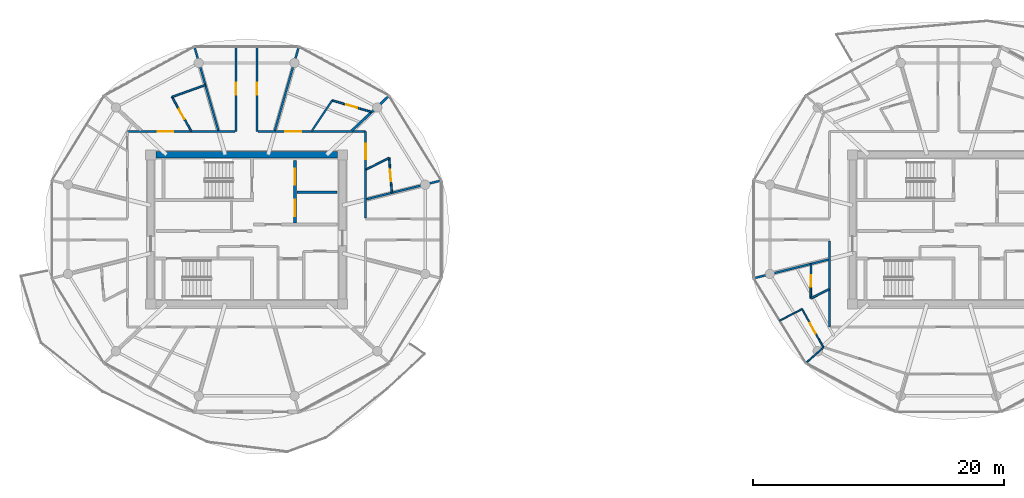
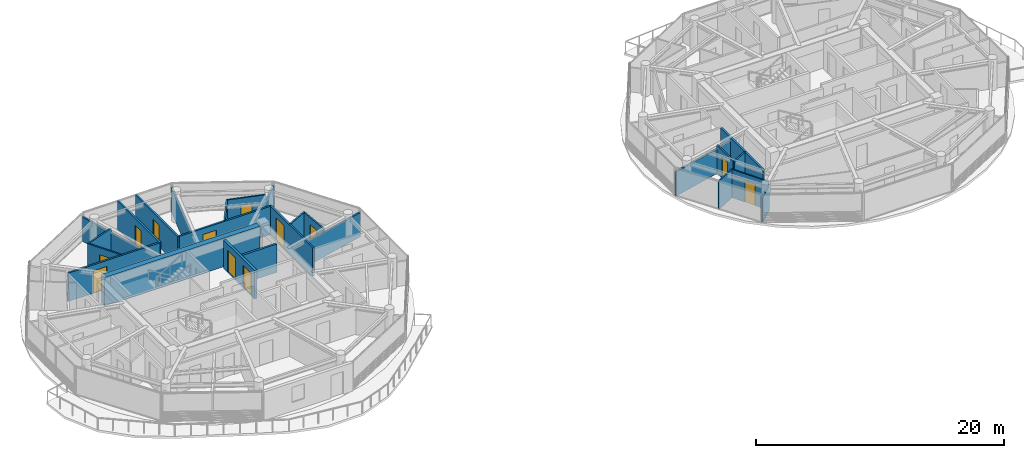
# One storey, part 11 of 19: 25 walls, 12 doors, 12 openings.
"""IFC4 building model written with IfcOpenShell, lengths in metres."""

from ifc_helpers import new_model, si_unit, direction, frame, frame_2d, origin, place, context, subcontext, project, spatial, rectangle, extrude, source, transform, mapped, material, layer, layer_set, type_object, type_shapes, element, fill, save


model = new_model("IFC4")

# Units and contexts
model_context = context("Model", 3, precision=1e-05, world=origin(), true_north=direction((0.0, 1.0)))
body_context = subcontext(model_context, "Body", "Model", "MODEL_VIEW")
ifc_project = project(units=[si_unit("LENGTHUNIT", "METRE"), si_unit("AREAUNIT", "SQUARE_METRE"), si_unit("VOLUMEUNIT", "CUBIC_METRE"), si_unit("PLANEANGLEUNIT", "RADIAN"), si_unit("MASSUNIT", "GRAM", prefix="KILO")], contexts=[model_context])

# Site, building, storey
site_placement = place(None, origin())
site = spatial("IfcSite", under=ifc_project, at=site_placement, CompositionType="ELEMENT")
building_placement = place(site_placement, origin())
building = spatial("IfcBuilding", under=site, at=building_placement, Name="Norrkilde Senior Care Towers", CompositionType="ELEMENT")
storey_placement = place(building_placement, frame((0.0, 0.0, 235.25)))
storey = spatial("IfcBuildingStorey", under=building, at=storey_placement, Name="L73", CompositionType="ELEMENT", Elevation=235.25)

# Wall
ifc_material_1 = material(Name="Concrete C50/60", Category="concrete")
ifc_layer_1 = layer(ifc_material_1, 0.52001953125)
ifc_layer_set_1 = layer_set([ifc_layer_1], Name="Concrete C50/60")
wall_type_1 = type_object("IfcWallType", Name="Core Shear Wall Z4 520", PredefinedType="SHEAR", material=ifc_layer_set_1)
shared_shape_1 = source(origin(), body_context, "Body", "SweptSolid", [
    extrude(rectangle(XDim=14.5, YDim=0.52001953125, at=frame_2d((7.25, 0.0))), origin(), (0.0, 0.0, 1.0), 2.81005859375),
])
type_shapes(wall_type_1, [shared_shape_1])
wall_1_placement = place(storey_placement, frame((-35.25, 5.949951171875, 0.0), z_axis=(0.0, 0.0, 1.0), x_axis=(1.0, 0.0, 0.0)))
element("IfcWall", 1, at=wall_1_placement, inside=storey, type_object=wall_type_1, Name="L73 Core W North Shear Wall", PredefinedType="SHEAR", context=body_context, shape_type="MappedRepresentation", body=[
    mapped(shared_shape_1, transform((0.0, 0.0, 0.0), x_axis=(1.0, 0.0, 0.0), y_axis=(0.0, 1.0, 0.0), z_axis=(0.0, 0.0, 1.0), scale=1.0)),
])

# Wall, openings, doors
ifc_material_2 = material(Name="Concrete C45/55", Category="concrete")
ifc_layer_2 = layer(ifc_material_2, 0.239990234375)
ifc_layer_set_2 = layer_set([ifc_layer_2], Name="Concrete C45/55")
wall_type_2 = type_object("IfcWallType", Name="Lift and Plant Rated Enclosure Partition 240", PredefinedType="PARTITIONING", material=ifc_layer_set_2)
shared_shape_2 = source(origin(), body_context, "Body", "SweptSolid", [
    extrude(rectangle(XDim=5.0, YDim=0.239990234375, at=frame_2d((2.5, 0.0))), origin(), (0.0, 0.0, 1.0), 2.794921875),
])
type_shapes(wall_type_2, [shared_shape_2])
wall_2_placement = place(storey_placement, frame((-24.139892578125, 0.5, 0.0), z_axis=(0.0, 0.0, 1.0), x_axis=(0.0, 1.0, 0.0)))
wall_2 = element("IfcWall", 2, at=wall_2_placement, inside=storey, type_object=wall_type_2, Name="WL-INT-L73-W-FFLE", PredefinedType="PARTITIONING", context=body_context, shape_type="MappedRepresentation", body=[
    mapped(shared_shape_2, transform((0.0, 0.0, 0.0), x_axis=(1.0, 0.0, 0.0), y_axis=(0.0, 1.0, 0.0), z_axis=(0.0, 0.0, 1.0), scale=1.0)),
])
opening_1_placement = place(wall_2_placement, frame((3.050048828125, 0.0, 0.0)))
opening_1 = element("IfcOpeningElement", 3, at=opening_1_placement, cuts=wall_2, Name="Opening LD-02", PredefinedType="OPENING", context=body_context, shape_type="SweptSolid", body=[
    extrude(rectangle(XDim=1.300048828125, YDim=2.199951171875, at=frame_2d((0.64990234375, 1.10009765625))), frame((0.0, 0.1298828125, 0.0), z_axis=(0.0, -1.0, 0.0), x_axis=(1.0, 0.0, 0.0)), (0.0, 0.0, 1.0), 0.260009765625),
])
opening_2_placement = place(wall_2_placement, frame((0.550048828125, 0.0, 0.0)))
opening_2 = element("IfcOpeningElement", 4, at=opening_2_placement, cuts=wall_2, Name="Opening LD-02", PredefinedType="OPENING", context=body_context, shape_type="SweptSolid", body=[
    extrude(rectangle(XDim=1.300048828125, YDim=2.199951171875, at=frame_2d((0.64990234375, 1.10009765625))), frame((0.0, 0.1298828125, 0.0), z_axis=(0.0, -1.0, 0.0), x_axis=(1.0, 0.0, 0.0)), (0.0, 0.0, 1.0), 0.260009765625),
])
ifc_material_3 = material(Name="Stainless Steel", Category="steel")
door_type_1 = type_object("IfcDoorType", Name="Stretcher and FFL Landing Sliding Door 1300x2200", OperationType="NOTDEFINED", PredefinedType="DOOR", material=ifc_material_3)
shared_shape_3 = source(origin(), body_context, "Body", "SweptSolid", [
    extrude(rectangle(XDim=1.300048828125, YDim=2.199951171875, at=frame_2d((0.64990234375, 1.10009765625))), frame((0.0, 0.02490234375, 0.0), z_axis=(0.0, -1.0, 0.0), x_axis=(1.0, 0.0, 0.0)), (0.0, 0.0, 1.0), 0.050048828125),
])
type_shapes(door_type_1, [shared_shape_3])
door_1_placement = place(opening_1_placement, origin())
door_1 = element("IfcDoor", 5, at=door_1_placement, inside=storey, type_object=door_type_1, Name="L73 Firefighting Lift W1 Landing Door", OperationType="SLIDING_TO_LEFT", OverallHeight=2.199951171875, OverallWidth=1.300048828125, PredefinedType="DOOR", context=body_context, shape_type="MappedRepresentation", body=[
    mapped(shared_shape_3, transform((0.0, 0.0, 0.0), x_axis=(1.0, 0.0, 0.0), y_axis=(0.0, 1.0, 0.0), z_axis=(0.0, 0.0, 1.0), scale=1.0)),
])
fill(opening_1, door_1)
door_2_placement = place(opening_2_placement, origin())
door_2 = element("IfcDoor", 6, at=door_2_placement, inside=storey, type_object=door_type_1, Name="L73 Stretcher Lift W1 Landing Door", OperationType="SLIDING_TO_RIGHT", OverallHeight=2.199951171875, OverallWidth=1.300048828125, PredefinedType="DOOR", context=body_context, shape_type="MappedRepresentation", body=[
    mapped(shared_shape_3, transform((0.0, 0.0, 0.0), x_axis=(1.0, 0.0, 0.0), y_axis=(0.0, 1.0, 0.0), z_axis=(0.0, 0.0, 1.0), scale=1.0)),
])
fill(opening_2, door_2)

# Wall
ifc_layer_3 = layer(ifc_material_2, 0.199951171875)
ifc_layer_set_3 = layer_set([ifc_layer_3], Name="Concrete C45/55")
wall_type_3 = type_object("IfcWallType", Name="Shaft Division and Plant Partition 200", PredefinedType="PARTITIONING", material=ifc_layer_set_3)
shared_shape_4 = source(origin(), body_context, "Body", "SweptSolid", [
    extrude(rectangle(XDim=3.199951171875, YDim=0.199951171875, at=frame_2d((1.60009765625, 0.0))), origin(), (0.0, 0.0, 1.0), 2.794921875),
])
type_shapes(wall_type_3, [shared_shape_4])
wall_3_placement = place(storey_placement, frame((-24.0, 2.949951171875, 0.0), z_axis=(0.0, 0.0, 1.0), x_axis=(1.0, 0.0, 0.0)))
element("IfcWall", 7, at=wall_3_placement, inside=storey, type_object=wall_type_3, Name="WL-INT-L73-W-FFLDIV", PredefinedType="PARTITIONING", context=body_context, shape_type="MappedRepresentation", body=[
    mapped(shared_shape_4, transform((0.0, 0.0, 0.0), x_axis=(1.0, 0.0, 0.0), y_axis=(0.0, 1.0, 0.0), z_axis=(0.0, 0.0, 1.0), scale=1.0)),
])

# Wall, opening, door
ifc_material_4 = material(Name="Gypsum Acoustic Board")
ifc_layer_4 = layer(ifc_material_4, 0.1650390625)
ifc_layer_set_4 = layer_set([ifc_layer_4], Name="Gypsum Acoustic Board")
wall_type_4 = type_object("IfcWallType", Name="Corridor Rated Partition 165", PredefinedType="PARTITIONING", material=ifc_layer_set_4)
shared_shape_5 = source(origin(), body_context, "Body", "SweptSolid", [
    extrude(rectangle(XDim=8.580078125, YDim=0.1650390625, at=frame_2d((4.2900390625, 0.0))), origin(), (0.0, 0.0, 1.0), 2.794921875),
])
wall_4_placement = place(storey_placement, frame((-37.5, 7.800048828125, 0.0), z_axis=(0.0, 0.0, 1.0), x_axis=(1.0, 0.0, 0.0)))
wall_4 = element("IfcWall", 8, at=wall_4_placement, inside=storey, type_object=wall_type_4, Name="WL-INT-L73-W-CRW-N-0", PredefinedType="PARTITIONING", context=body_context, shape_type="MappedRepresentation", body=[
    mapped(shared_shape_5, transform((0.0, 0.0, 0.0), x_axis=(1.0, 0.0, 0.0), y_axis=(0.0, 1.0, 0.0), z_axis=(0.0, 0.0, 1.0), scale=1.0)),
])
opening_3_placement = place(wall_4_placement, frame((2.41455078125, 0.0, 0.0)))
opening_3 = element("IfcOpeningElement", 9, at=opening_3_placement, cuts=wall_4, Name="Opening D-05", PredefinedType="OPENING", context=body_context, shape_type="SweptSolid", body=[
    extrude(rectangle(XDim=1.25, YDim=2.199951171875, at=frame_2d((0.625, 1.10009765625))), frame((0.0, 0.092529296875, 0.0), z_axis=(0.0, -1.0, 0.0), x_axis=(1.0, 0.0, 0.0)), (0.0, 0.0, 1.0), 0.18505859375),
])
ifc_material_5 = material(Name="Nordic Ash Timber", Category="wood")
door_type_2 = type_object("IfcDoorType", Name="Care Bedroom Bariatric Door 1250x2200", OperationType="NOTDEFINED", PredefinedType="DOOR", material=ifc_material_5)
shared_shape_6 = source(origin(), body_context, "Body", "SweptSolid", [
    extrude(rectangle(XDim=1.25, YDim=2.199951171875, at=frame_2d((0.625, 1.10009765625))), frame((0.0, 0.02490234375, 0.0), z_axis=(0.0, -1.0, 0.0), x_axis=(1.0, 0.0, 0.0)), (0.0, 0.0, 1.0), 0.050048828125),
])
type_shapes(door_type_2, [shared_shape_6])
door_3_placement = place(opening_3_placement, frame((1.25, 0.0, 0.0), z_axis=(0.0, 0.0, 1.0), x_axis=(-1.0, 0.0, 0.0)))
door_3 = element("IfcDoor", 10, at=door_3_placement, inside=storey, type_object=door_type_2, Name="L73 Care Suite 7303 Entrance Door", OperationType="SINGLE_SWING_LEFT", OverallHeight=2.199951171875, OverallWidth=1.25, PredefinedType="DOOR", context=body_context, shape_type="MappedRepresentation", body=[
    mapped(shared_shape_6, transform((0.0, 0.0, 0.0), x_axis=(1.0, 0.0, 0.0), y_axis=(0.0, 1.0, 0.0), z_axis=(0.0, 0.0, 1.0), scale=1.0)),
])
fill(opening_3, door_3)

wall_5_placement = place(storey_placement, frame((-27.080078125, 7.800048828125, 0.0), z_axis=(0.0, 0.0, 1.0), x_axis=(1.0, 0.0, 0.0)))
wall_5 = element("IfcWall", 11, at=wall_5_placement, inside=storey, type_object=wall_type_4, Name="WL-INT-L73-W-CRW-N-1", PredefinedType="PARTITIONING", context=body_context, shape_type="MappedRepresentation", body=[
    mapped(shared_shape_5, transform((0.0, 0.0, 0.0), x_axis=(1.0, 0.0, 0.0), y_axis=(0.0, 1.0, 0.0), z_axis=(0.0, 0.0, 1.0), scale=1.0)),
])
opening_4_placement = place(wall_5_placement, frame((2.18017578125, 0.0, 0.0)))
opening_4 = element("IfcOpeningElement", 12, at=opening_4_placement, cuts=wall_5, Name="Opening D-05", PredefinedType="OPENING", context=body_context, shape_type="SweptSolid", body=[
    extrude(rectangle(XDim=1.25, YDim=2.199951171875, at=frame_2d((0.625, 1.10009765625))), frame((0.0, 0.092529296875, 0.0), z_axis=(0.0, -1.0, 0.0), x_axis=(1.0, 0.0, 0.0)), (0.0, 0.0, 1.0), 0.18505859375),
])
door_4_placement = place(opening_4_placement, frame((1.25, 0.0, 0.0), z_axis=(0.0, 0.0, 1.0), x_axis=(-1.0, 0.0, 0.0)))
door_4 = element("IfcDoor", 13, at=door_4_placement, inside=storey, type_object=door_type_2, Name="L73 Care Suite 7301 Entrance Door", OperationType="SINGLE_SWING_RIGHT", OverallHeight=2.199951171875, OverallWidth=1.25, PredefinedType="DOOR", context=body_context, shape_type="MappedRepresentation", body=[
    mapped(shared_shape_6, transform((0.0, 0.0, 0.0), x_axis=(1.0, 0.0, 0.0), y_axis=(0.0, 1.0, 0.0), z_axis=(0.0, 0.0, 1.0), scale=1.0)),
])
fill(opening_4, door_4)

shared_shape_7 = source(origin(), body_context, "Body", "SweptSolid", [
    extrude(rectangle(XDim=6.880126953125, YDim=0.1650390625, at=frame_2d((3.43994140625, 0.0))), origin(), (0.0, 0.0, 1.0), 2.794921875),
])
wall_6_placement = place(storey_placement, frame((-18.5, 7.800048828125, 0.0), z_axis=(0.0, 0.0, 1.0), x_axis=(0.0, -1.0, 0.0)))
wall_6 = element("IfcWall", 14, at=wall_6_placement, inside=storey, type_object=wall_type_4, Name="WL-INT-L73-W-CRW-E-0", PredefinedType="PARTITIONING", context=body_context, shape_type="MappedRepresentation", body=[
    mapped(shared_shape_7, transform((0.0, 0.0, 0.0), x_axis=(1.0, 0.0, 0.0), y_axis=(0.0, 1.0, 0.0), z_axis=(0.0, 0.0, 1.0), scale=1.0)),
])
opening_5_placement = place(wall_6_placement, frame((0.96826171875, 0.0, 0.0)))
opening_5 = element("IfcOpeningElement", 15, at=opening_5_placement, cuts=wall_6, Name="Opening D-05", PredefinedType="OPENING", context=body_context, shape_type="SweptSolid", body=[
    extrude(rectangle(XDim=1.25, YDim=2.199951171875, at=frame_2d((0.625, 1.10009765625))), frame((0.0, 0.092529296875, 0.0), z_axis=(0.0, -1.0, 0.0), x_axis=(1.0, 0.0, 0.0)), (0.0, 0.0, 1.0), 0.18505859375),
])
door_5_placement = place(opening_5_placement, frame((1.25, 0.0, 0.0), z_axis=(0.0, 0.0, 1.0), x_axis=(-1.0, 0.0, 0.0)))
door_5 = element("IfcDoor", 16, at=door_5_placement, inside=storey, type_object=door_type_2, Name="L73 Care Suite 7300 Entrance Door", OperationType="SINGLE_SWING_LEFT", OverallHeight=2.199951171875, OverallWidth=1.25, PredefinedType="DOOR", context=body_context, shape_type="MappedRepresentation", body=[
    mapped(shared_shape_6, transform((0.0, 0.0, 0.0), x_axis=(1.0, 0.0, 0.0), y_axis=(0.0, 1.0, 0.0), z_axis=(0.0, 0.0, 1.0), scale=1.0)),
])
fill(opening_5, door_5)

# Walls
wall_7_placement = place(storey_placement, frame((18.5, -7.800048828125, 0.0), z_axis=(0.0, 0.0, 1.0), x_axis=(0.0, 1.0, 0.0)))
element("IfcWall", 17, at=wall_7_placement, inside=storey, type_object=wall_type_4, Name="WL-INT-L73-E-CRW-W-0", PredefinedType="PARTITIONING", context=body_context, shape_type="MappedRepresentation", body=[
    mapped(shared_shape_7, transform((0.0, 0.0, 0.0), x_axis=(1.0, 0.0, 0.0), y_axis=(0.0, 1.0, 0.0), z_axis=(0.0, 0.0, 1.0), scale=1.0)),
])
shared_shape_8 = source(origin(), body_context, "Body", "SweptSolid", [
    extrude(rectangle(XDim=6.973876953125, YDim=0.1650390625, at=frame_2d((3.48681640625, 0.0))), origin(), (0.0, 0.0, 1.0), 2.39501953125),
])
for number, where, z_axis, x_axis, name in (
    (18, (-25.748779296875, 7.8798828125, 0.0), (0.0, 0.0, 1.0), (0.274707256801, 0.961527910703, 0.0), "WL-INT-L73-W-DEM-02-0"),
    (19, (-30.251220703125, 7.8798828125, 0.0), (0.0, 0.0, 1.0), (-0.274707256801, 0.961527910703, 0.0), "WL-INT-L73-W-DEM-03-0"),
):
    element("IfcWall", number, at=place(storey_placement, frame(where, z_axis=z_axis, x_axis=x_axis)), inside=storey, type_object=wall_type_4, Name=name, PredefinedType="PARTITIONING", context=body_context, shape_type="MappedRepresentation", body=[
        mapped(shared_shape_8, transform((0.0, 0.0, 0.0), x_axis=(1.0, 0.0, 0.0), y_axis=(0.0, 1.0, 0.0), z_axis=(0.0, 0.0, 1.0), scale=1.0)),
    ])
shared_shape_9 = source(origin(), body_context, "Body", "SweptSolid", [
    extrude(rectangle(XDim=6.1572265625, YDim=0.1650390625, at=frame_2d((3.07861328125, 0.0))), origin(), (0.0, 0.0, 1.0), 2.39501953125),
])
for number, where, z_axis, x_axis, name in (
    (20, (-18.419921875, 2.407470703125, 0.0), (0.0, 0.0, 1.0), (0.969840867184, 0.243738984038, 0.0), "WL-INT-L73-W-DEM-00-0"),
    (21, (18.419921875, -2.407470703125, 0.0), (0.0, 0.0, 1.0), (-0.969840867184, -0.243738984038, 0.0), "WL-INT-L73-E-DEM-06-0"),
):
    element("IfcWall", number, at=place(storey_placement, frame(where, z_axis=z_axis, x_axis=x_axis)), inside=storey, type_object=wall_type_4, Name=name, PredefinedType="PARTITIONING", context=body_context, shape_type="MappedRepresentation", body=[
        mapped(shared_shape_9, transform((0.0, 0.0, 0.0), x_axis=(1.0, 0.0, 0.0), y_axis=(0.0, 1.0, 0.0), z_axis=(0.0, 0.0, 1.0), scale=1.0)),
    ])
ifc_layer_5 = layer(ifc_material_4, 0.18994140625)
ifc_layer_set_5 = layer_set([ifc_layer_5], Name="Gypsum Acoustic Board")
wall_type_5 = type_object("IfcWallType", Name="Unit Demising Acoustic Wall 190", PredefinedType="PARTITIONING", material=ifc_layer_set_5)
shared_shape_10 = source(origin(), body_context, "Body", "SweptSolid", [
    extrude(rectangle(XDim=4.089111328125, YDim=0.18994140625, at=frame_2d((2.04443359375, 0.0))), origin(), (0.0, 0.0, 1.0), 2.39501953125),
])
type_shapes(wall_type_5, [shared_shape_10])
wall_8_placement = place(storey_placement, frame((-19.59814453125, 7.8798828125, 0.0), z_axis=(0.0, 0.0, 1.0), x_axis=(0.729401273609, 0.684086092577, 0.0)))
element("IfcWall", 22, at=wall_8_placement, inside=storey, type_object=wall_type_5, Name="WL-INT-L73-W-DEM-01-0", PredefinedType="PARTITIONING", context=body_context, shape_type="MappedRepresentation", body=[
    mapped(shared_shape_10, transform((0.0, 0.0, 0.0), x_axis=(1.0, 0.0, 0.0), y_axis=(0.0, 1.0, 0.0), z_axis=(0.0, 0.0, 1.0), scale=1.0)),
])
ifc_layer_6 = layer(ifc_material_4, 0.114990234375)
ifc_layer_set_6 = layer_set([ifc_layer_6], Name="Gypsum Acoustic Board")
wall_type_6 = type_object("IfcWallType", Name="Internal Room Partition 115", PredefinedType="PARTITIONING", material=ifc_layer_set_6)
shared_shape_11 = source(origin(), body_context, "Body", "SweptSolid", [
    extrude(rectangle(XDim=1.905029296875, YDim=0.114990234375, at=frame_2d((0.95263671875, 0.0))), origin(), (0.0, 0.0, 1.0), 2.39501953125),
])
wall_9_placement = place(storey_placement, frame((18.0302734375, -9.4013671875, 0.0), z_axis=(0.0, 0.0, 1.0), x_axis=(-0.742624708137, -0.669707804094, 0.0)))
element("IfcWall", 23, at=wall_9_placement, inside=storey, type_object=wall_type_6, Name="WL-INT-L73-E-UBR-06-1", PredefinedType="PARTITIONING", context=body_context, shape_type="MappedRepresentation", body=[
    mapped(shared_shape_11, transform((0.0, 0.0, 0.0), x_axis=(1.0, 0.0, 0.0), y_axis=(0.0, 1.0, 0.0), z_axis=(0.0, 0.0, 1.0), scale=1.0)),
])

# Wall, opening, door
shared_shape_12 = source(origin(), body_context, "Body", "SweptSolid", [
    extrude(rectangle(XDim=6.83544921875, YDim=0.1650390625, at=frame_2d((3.417724609375, 0.0))), origin(), (0.0, 0.0, 1.0), 2.794921875),
])
type_shapes(wall_type_4, [shared_shape_5, shared_shape_7, shared_shape_8, shared_shape_9, shared_shape_12])
wall_10_placement = place(storey_placement, frame((-28.840087890625, 7.800048828125, 0.0), z_axis=(0.0, 0.0, 1.0), x_axis=(0.0, 1.0, 0.0)))
wall_10 = element("IfcWall", 24, at=wall_10_placement, inside=storey, type_object=wall_type_4, Name="WL-INT-L73-W-SPK-N1-0", PredefinedType="PARTITIONING", context=body_context, shape_type="MappedRepresentation", body=[
    mapped(shared_shape_12, transform((0.0, 0.0, 0.0), x_axis=(1.0, 0.0, 0.0), y_axis=(0.0, 1.0, 0.0), z_axis=(0.0, 0.0, 1.0), scale=1.0)),
])
opening_6_placement = place(wall_10_placement, frame((2.942626953125, 0.0, 0.0)))
opening_6 = element("IfcOpeningElement", 25, at=opening_6_placement, cuts=wall_10, Name="Opening D-07", PredefinedType="OPENING", context=body_context, shape_type="SweptSolid", body=[
    extrude(rectangle(XDim=0.949951171875, YDim=2.10009765625, at=frame_2d((0.47509765625, 1.050048828125))), frame((0.0, 0.092529296875, 0.0), z_axis=(0.0, -1.0, 0.0), x_axis=(1.0, 0.0, 0.0)), (0.0, 0.0, 1.0), 0.18505859375),
])
door_type_3 = type_object("IfcDoorType", Name="Internal Suite Bedroom Door 950x2100", OperationType="NOTDEFINED", PredefinedType="DOOR", material=ifc_material_5)
shared_shape_13 = source(origin(), body_context, "Body", "SweptSolid", [
    extrude(rectangle(XDim=0.949951171875, YDim=2.10009765625, at=frame_2d((0.47509765625, 1.050048828125))), frame((0.0, 0.02490234375, 0.0), z_axis=(0.0, -1.0, 0.0), x_axis=(1.0, 0.0, 0.0)), (0.0, 0.0, 1.0), 0.050048828125),
])
type_shapes(door_type_3, [shared_shape_13])
door_6_placement = place(opening_6_placement, frame((0.949951171875, 0.0, 0.0), z_axis=(0.0, 0.0, 1.0), x_axis=(-1.0, 0.0, 0.0)))
door_6 = element("IfcDoor", 26, at=door_6_placement, inside=storey, type_object=door_type_3, Name="L73 Sun Reading Lounge 3 Door", OperationType="SINGLE_SWING_RIGHT", OverallHeight=2.10009765625, OverallWidth=0.949951171875, PredefinedType="DOOR", context=body_context, shape_type="MappedRepresentation", body=[
    mapped(shared_shape_13, transform((0.0, 0.0, 0.0), x_axis=(1.0, 0.0, 0.0), y_axis=(0.0, 1.0, 0.0), z_axis=(0.0, 0.0, 1.0), scale=1.0)),
])
fill(opening_6, door_6)

wall_11_placement = place(storey_placement, frame((-27.159912109375, 14.635498046875, 0.0), z_axis=(0.0, 0.0, 1.0), x_axis=(0.0, -1.0, 0.0)))
wall_11 = element("IfcWall", 27, at=wall_11_placement, inside=storey, type_object=wall_type_4, Name="WL-INT-L73-W-SPK-N2-0", PredefinedType="PARTITIONING", context=body_context, shape_type="MappedRepresentation", body=[
    mapped(shared_shape_12, transform((0.0, 0.0, 0.0), x_axis=(1.0, 0.0, 0.0), y_axis=(0.0, 1.0, 0.0), z_axis=(0.0, 0.0, 1.0), scale=1.0)),
])
opening_7_placement = place(wall_11_placement, frame((2.942626953125, 0.0, 0.0)))
opening_7 = element("IfcOpeningElement", 28, at=opening_7_placement, cuts=wall_11, Name="Opening D-07", PredefinedType="OPENING", context=body_context, shape_type="SweptSolid", body=[
    extrude(rectangle(XDim=0.949951171875, YDim=2.10009765625, at=frame_2d((0.47509765625, 1.050048828125))), frame((0.0, 0.092529296875, 0.0), z_axis=(0.0, -1.0, 0.0), x_axis=(1.0, 0.0, 0.0)), (0.0, 0.0, 1.0), 0.18505859375),
])
door_7_placement = place(opening_7_placement, frame((0.949951171875, 0.0, 0.0), z_axis=(0.0, 0.0, 1.0), x_axis=(-1.0, 0.0, 0.0)))
door_7 = element("IfcDoor", 29, at=door_7_placement, inside=storey, type_object=door_type_3, Name="L73 Sun Reading Lounge 4 Door", OperationType="SINGLE_SWING_LEFT", OverallHeight=2.10009765625, OverallWidth=0.949951171875, PredefinedType="DOOR", context=body_context, shape_type="MappedRepresentation", body=[
    mapped(shared_shape_13, transform((0.0, 0.0, 0.0), x_axis=(1.0, 0.0, 0.0), y_axis=(0.0, 1.0, 0.0), z_axis=(0.0, 0.0, 1.0), scale=1.0)),
])
fill(opening_7, door_7)

# Wall
ifc_layer_7 = layer(ifc_material_4, 0.139892578125)
ifc_layer_set_7 = layer_set([ifc_layer_7], Name="Gypsum Acoustic Board")
wall_type_7 = type_object("IfcWallType", Name="En-suite Wet Room Wall 140", PredefinedType="PARTITIONING", material=ifc_layer_set_7)
shared_shape_14 = source(origin(), body_context, "Body", "SweptSolid", [
    extrude(rectangle(XDim=2.059814453125, YDim=0.139892578125, at=frame_2d((1.02978515625, 0.0))), origin(), (0.0, 0.0, 1.0), 2.794921875),
])
wall_12_placement = place(storey_placement, frame((-18.469970703125, 4.7783203125, 0.0), z_axis=(0.0, 0.0, 1.0), x_axis=(0.893952568722, 0.448161583444, 0.0)))
element("IfcWall", 30, at=wall_12_placement, inside=storey, type_object=wall_type_7, Name="WL-INT-L73-W-ES-00", PredefinedType="PARTITIONING", context=body_context, shape_type="MappedRepresentation", body=[
    mapped(shared_shape_14, transform((0.0, 0.0, 0.0), x_axis=(1.0, 0.0, 0.0), y_axis=(0.0, 1.0, 0.0), z_axis=(0.0, 0.0, 1.0), scale=1.0)),
])

# Wall, opening, door
shared_shape_15 = source(origin(), body_context, "Body", "SweptSolid", [
    extrude(rectangle(XDim=2.79833984375, YDim=0.139892578125, at=frame_2d((1.399169921875, 0.0))), origin(), (0.0, 0.0, 1.0), 2.794921875),
])
wall_13_placement = place(storey_placement, frame((-16.628662109375, 5.701416015625, 0.0), z_axis=(0.0, 0.0, 1.0), x_axis=(0.077823984089, -0.996967114553, 0.0)))
wall_13 = element("IfcWall", 31, at=wall_13_placement, inside=storey, type_object=wall_type_7, Name="WL-INT-L73-W-EF-00", PredefinedType="PARTITIONING", context=body_context, shape_type="MappedRepresentation", body=[
    mapped(shared_shape_15, transform((0.0, 0.0, 0.0), x_axis=(1.0, 0.0, 0.0), y_axis=(0.0, 1.0, 0.0), z_axis=(0.0, 0.0, 1.0), scale=1.0)),
])
opening_8_placement = place(wall_13_placement, frame((0.939208984375, 0.0, 0.0)))
opening_8 = element("IfcOpeningElement", 32, at=opening_8_placement, cuts=wall_13, Name="Opening D-08", PredefinedType="OPENING", context=body_context, shape_type="SweptSolid", body=[
    extrude(rectangle(XDim=0.919921875, YDim=2.10009765625, at=frame_2d((0.4599609375, 1.050048828125))), frame((0.0, 0.079833984375, 0.0), z_axis=(0.0, -1.0, 0.0), x_axis=(1.0, 0.0, 0.0)), (0.0, 0.0, 1.0), 0.159912109375),
])
door_type_4 = type_object("IfcDoorType", Name="Accessible Wet Room Door 920x2100", OperationType="NOTDEFINED", PredefinedType="DOOR", material=ifc_material_5)
shared_shape_16 = source(origin(), body_context, "Body", "SweptSolid", [
    extrude(rectangle(XDim=0.919921875, YDim=2.10009765625, at=frame_2d((0.4599609375, 1.050048828125))), frame((0.0, 0.02490234375, 0.0), z_axis=(0.0, -1.0, 0.0), x_axis=(1.0, 0.0, 0.0)), (0.0, 0.0, 1.0), 0.050048828125),
])
type_shapes(door_type_4, [shared_shape_16])
door_8_placement = place(opening_8_placement, origin())
door_8 = element("IfcDoor", 33, at=door_8_placement, inside=storey, type_object=door_type_4, Name="L73 Care Suite 7300 Bathroom Door", OperationType="SINGLE_SWING_RIGHT", OverallHeight=2.10009765625, OverallWidth=0.919921875, PredefinedType="DOOR", context=body_context, shape_type="MappedRepresentation", body=[
    mapped(shared_shape_16, transform((0.0, 0.0, 0.0), x_axis=(1.0, 0.0, 0.0), y_axis=(0.0, 1.0, 0.0), z_axis=(0.0, 0.0, 1.0), scale=1.0)),
])
fill(opening_8, door_8)

# Wall
shared_shape_17 = source(origin(), body_context, "Body", "SweptSolid", [
    extrude(rectangle(XDim=2.95263671875, YDim=0.139892578125, at=frame_2d((1.476318359375, 0.0))), origin(), (0.0, 0.0, 1.0), 2.794921875),
])
wall_14_placement = place(storey_placement, frame((-22.8115234375, 7.830078125, 0.0), z_axis=(0.0, 0.0, 1.0), x_axis=(0.552427436518, 0.833560991999, 0.0)))
element("IfcWall", 34, at=wall_14_placement, inside=storey, type_object=wall_type_7, Name="WL-INT-L73-W-ES-01", PredefinedType="PARTITIONING", context=body_context, shape_type="MappedRepresentation", body=[
    mapped(shared_shape_17, transform((0.0, 0.0, 0.0), x_axis=(1.0, 0.0, 0.0), y_axis=(0.0, 1.0, 0.0), z_axis=(0.0, 0.0, 1.0), scale=1.0)),
])

# Wall, opening, door
shared_shape_18 = source(origin(), body_context, "Body", "SweptSolid", [
    extrude(rectangle(XDim=3.252197265625, YDim=0.139892578125, at=frame_2d((1.6259765625, 0.0))), origin(), (0.0, 0.0, 1.0), 2.794921875),
])
wall_15_placement = place(storey_placement, frame((-21.180419921875, 10.291259765625, 0.0), z_axis=(0.0, 0.0, 1.0), x_axis=(0.959294945864, -0.282406102695, 0.0)))
wall_15 = element("IfcWall", 35, at=wall_15_placement, inside=storey, type_object=wall_type_7, Name="WL-INT-L73-W-EF-01", PredefinedType="PARTITIONING", context=body_context, shape_type="MappedRepresentation", body=[
    mapped(shared_shape_18, transform((0.0, 0.0, 0.0), x_axis=(1.0, 0.0, 0.0), y_axis=(0.0, 1.0, 0.0), z_axis=(0.0, 0.0, 1.0), scale=1.0)),
])
opening_9_placement = place(wall_15_placement, frame((1.166259765625, 0.0, 0.0)))
opening_9 = element("IfcOpeningElement", 36, at=opening_9_placement, cuts=wall_15, Name="Opening D-08", PredefinedType="OPENING", context=body_context, shape_type="SweptSolid", body=[
    extrude(rectangle(XDim=0.919921875, YDim=2.10009765625, at=frame_2d((0.4599609375, 1.050048828125))), frame((0.0, 0.079833984375, 0.0), z_axis=(0.0, -1.0, 0.0), x_axis=(1.0, 0.0, 0.0)), (0.0, 0.0, 1.0), 0.159912109375),
])
door_9_placement = place(opening_9_placement, origin())
door_9 = element("IfcDoor", 37, at=door_9_placement, inside=storey, type_object=door_type_4, Name="L73 Care Suite 7301 Bathroom Door", OperationType="SINGLE_SWING_LEFT", OverallHeight=2.10009765625, OverallWidth=0.919921875, PredefinedType="DOOR", context=body_context, shape_type="MappedRepresentation", body=[
    mapped(shared_shape_16, transform((0.0, 0.0, 0.0), x_axis=(1.0, 0.0, 0.0), y_axis=(0.0, 1.0, 0.0), z_axis=(0.0, 0.0, 1.0), scale=1.0)),
])
fill(opening_9, door_9)

shared_shape_19 = source(origin(), body_context, "Body", "SweptSolid", [
    extrude(rectangle(XDim=3.14013671875, YDim=0.139892578125, at=frame_2d((1.570068359375, 0.0))), origin(), (0.0, 0.0, 1.0), 2.794921875),
])
wall_16_placement = place(storey_placement, frame((-32.4150390625, 7.830078125, 0.0), z_axis=(0.0, 0.0, 1.0), x_axis=(-0.491132137966, 0.871085083707, 0.0)))
wall_16 = element("IfcWall", 38, at=wall_16_placement, inside=storey, type_object=wall_type_7, Name="WL-INT-L73-W-ES-03", PredefinedType="PARTITIONING", context=body_context, shape_type="MappedRepresentation", body=[
    mapped(shared_shape_19, transform((0.0, 0.0, 0.0), x_axis=(1.0, 0.0, 0.0), y_axis=(0.0, 1.0, 0.0), z_axis=(0.0, 0.0, 1.0), scale=1.0)),
])
opening_10_placement = place(wall_16_placement, frame((1.110107421875, 0.0, 0.0)))
opening_10 = element("IfcOpeningElement", 39, at=opening_10_placement, cuts=wall_16, Name="Opening D-08", PredefinedType="OPENING", context=body_context, shape_type="SweptSolid", body=[
    extrude(rectangle(XDim=0.919921875, YDim=2.10009765625, at=frame_2d((0.4599609375, 1.050048828125))), frame((0.0, 0.079833984375, 0.0), z_axis=(0.0, -1.0, 0.0), x_axis=(1.0, 0.0, 0.0)), (0.0, 0.0, 1.0), 0.159912109375),
])
door_10_placement = place(opening_10_placement, origin())
door_10 = element("IfcDoor", 40, at=door_10_placement, inside=storey, type_object=door_type_4, Name="L73 Care Suite 7303 Bathroom Door", OperationType="SINGLE_SWING_RIGHT", OverallHeight=2.10009765625, OverallWidth=0.919921875, PredefinedType="DOOR", context=body_context, shape_type="MappedRepresentation", body=[
    mapped(shared_shape_16, transform((0.0, 0.0, 0.0), x_axis=(1.0, 0.0, 0.0), y_axis=(0.0, 1.0, 0.0), z_axis=(0.0, 0.0, 1.0), scale=1.0)),
])
fill(opening_10, door_10)

# Walls
shared_shape_20 = source(origin(), body_context, "Body", "SweptSolid", [
    extrude(rectangle(XDim=2.8310546875, YDim=0.139892578125, at=frame_2d((1.41552734375, 0.0))), origin(), (0.0, 0.0, 1.0), 2.794921875),
])
wall_17_placement = place(storey_placement, frame((-33.957275390625, 10.5654296875, 0.0), z_axis=(0.0, 0.0, 1.0), x_axis=(0.941411742535, 0.337259441701, 0.0)))
element("IfcWall", 41, at=wall_17_placement, inside=storey, type_object=wall_type_7, Name="WL-INT-L73-W-EF-03", PredefinedType="PARTITIONING", context=body_context, shape_type="MappedRepresentation", body=[
    mapped(shared_shape_20, transform((0.0, 0.0, 0.0), x_axis=(1.0, 0.0, 0.0), y_axis=(0.0, 1.0, 0.0), z_axis=(0.0, 0.0, 1.0), scale=1.0)),
])
shared_shape_21 = source(origin(), body_context, "Body", "SweptSolid", [
    extrude(rectangle(XDim=1.638427734375, YDim=0.139892578125, at=frame_2d((0.8193359375, 0.0))), origin(), (0.0, 0.0, 1.0), 2.794921875),
])
wall_18_placement = place(storey_placement, frame((18.469970703125, -4.7783203125, 0.0), z_axis=(0.0, 0.0, 1.0), x_axis=(-0.893919977945, -0.448226586707, 0.0)))
element("IfcWall", 42, at=wall_18_placement, inside=storey, type_object=wall_type_7, Name="WL-INT-L73-E-UBTS-06", PredefinedType="PARTITIONING", context=body_context, shape_type="MappedRepresentation", body=[
    mapped(shared_shape_21, transform((0.0, 0.0, 0.0), x_axis=(1.0, 0.0, 0.0), y_axis=(0.0, 1.0, 0.0), z_axis=(0.0, 0.0, 1.0), scale=1.0)),
])

# Wall, opening, door
shared_shape_22 = source(origin(), body_context, "Body", "SweptSolid", [
    extrude(rectangle(XDim=2.7587890625, YDim=0.139892578125, at=frame_2d((1.37939453125, 0.0))), origin(), (0.0, 0.0, 1.0), 2.794921875),
])
type_shapes(wall_type_7, [shared_shape_14, shared_shape_15, shared_shape_17, shared_shape_18, shared_shape_19, shared_shape_20, shared_shape_21, shared_shape_22])
wall_19_placement = place(storey_placement, frame((17.00537109375, -5.5126953125, 0.0), z_axis=(0.0, 0.0, 1.0), x_axis=(0.01194710728, 0.999928630767, 0.0)))
wall_19 = element("IfcWall", 43, at=wall_19_placement, inside=storey, type_object=wall_type_7, Name="WL-INT-L73-E-UBTF-06", PredefinedType="PARTITIONING", context=body_context, shape_type="MappedRepresentation", body=[
    mapped(shared_shape_22, transform((0.0, 0.0, 0.0), x_axis=(1.0, 0.0, 0.0), y_axis=(0.0, 1.0, 0.0), z_axis=(0.0, 0.0, 1.0), scale=1.0)),
])
opening_11_placement = place(wall_19_placement, frame((0.91943359375, 0.0, 0.0)))
opening_11 = element("IfcOpeningElement", 44, at=opening_11_placement, cuts=wall_19, Name="Opening D-08", PredefinedType="OPENING", context=body_context, shape_type="SweptSolid", body=[
    extrude(rectangle(XDim=0.919921875, YDim=2.10009765625, at=frame_2d((0.4599609375, 1.050048828125))), frame((0.0, 0.079833984375, 0.0), z_axis=(0.0, -1.0, 0.0), x_axis=(1.0, 0.0, 0.0)), (0.0, 0.0, 1.0), 0.159912109375),
])
door_11_placement = place(opening_11_placement, origin())
door_11 = element("IfcDoor", 45, at=door_11_placement, inside=storey, type_object=door_type_4, Name="Apartment 73C Bathroom Door", OperationType="SINGLE_SWING_RIGHT", OverallHeight=2.10009765625, OverallWidth=0.919921875, PredefinedType="DOOR", context=body_context, shape_type="MappedRepresentation", body=[
    mapped(shared_shape_16, transform((0.0, 0.0, 0.0), x_axis=(1.0, 0.0, 0.0), y_axis=(0.0, 1.0, 0.0), z_axis=(0.0, 0.0, 1.0), scale=1.0)),
])
fill(opening_11, door_11)

# Wall
shared_shape_23 = source(origin(), body_context, "Body", "SweptSolid", [
    extrude(rectangle(XDim=2.014892578125, YDim=0.114990234375, at=frame_2d((1.00732421875, 0.0))), origin(), (0.0, 0.0, 1.0), 2.794921875),
])
wall_20_placement = place(storey_placement, frame((16.318115234375, -6.360107421875, 0.0), z_axis=(0.0, 0.0, 1.0), x_axis=(-0.886437892009, -0.462847559797, 0.0)))
element("IfcWall", 46, at=wall_20_placement, inside=storey, type_object=wall_type_6, Name="WL-INT-L73-E-UKTS-06", PredefinedType="PARTITIONING", context=body_context, shape_type="MappedRepresentation", body=[
    mapped(shared_shape_23, transform((0.0, 0.0, 0.0), x_axis=(1.0, 0.0, 0.0), y_axis=(0.0, 1.0, 0.0), z_axis=(0.0, 0.0, 1.0), scale=1.0)),
])

# Wall, opening, door
shared_shape_24 = source(origin(), body_context, "Body", "SweptSolid", [
    extrude(rectangle(XDim=3.49267578125, YDim=0.114990234375, at=frame_2d((1.746337890625, 0.0))), origin(), (0.0, 0.0, 1.0), 2.794921875),
])
type_shapes(wall_type_6, [shared_shape_11, shared_shape_23, shared_shape_24])
wall_21_placement = place(storey_placement, frame((16.318115234375, -6.360107421875, 0.0), z_axis=(0.0, 0.0, 1.0), x_axis=(0.487896553961, -0.872901456427, 0.0)))
wall_21 = element("IfcWall", 47, at=wall_21_placement, inside=storey, type_object=wall_type_6, Name="WL-INT-L73-E-UKTF-06", PredefinedType="PARTITIONING", context=body_context, shape_type="MappedRepresentation", body=[
    mapped(shared_shape_24, transform((0.0, 0.0, 0.0), x_axis=(1.0, 0.0, 0.0), y_axis=(0.0, 1.0, 0.0), z_axis=(0.0, 0.0, 1.0), scale=1.0)),
])
opening_12_placement = place(wall_21_placement, frame((1.271484375, 0.0, 0.0)))
opening_12 = element("IfcOpeningElement", 48, at=opening_12_placement, cuts=wall_21, Name="Opening D-07", PredefinedType="OPENING", context=body_context, shape_type="SweptSolid", body=[
    extrude(rectangle(XDim=0.949951171875, YDim=2.10009765625, at=frame_2d((0.47509765625, 1.050048828125))), frame((0.0, 0.0673828125, 0.0), z_axis=(0.0, -1.0, 0.0), x_axis=(1.0, 0.0, 0.0)), (0.0, 0.0, 1.0), 0.135009765625),
])
door_12_placement = place(opening_12_placement, frame((0.949951171875, 0.0, 0.0), z_axis=(0.0, 0.0, 1.0), x_axis=(-1.0, 0.0, 0.0)))
door_12 = element("IfcDoor", 49, at=door_12_placement, inside=storey, type_object=door_type_3, Name="Apartment 73C Kitchen Door", OperationType="SINGLE_SWING_LEFT", OverallHeight=2.10009765625, OverallWidth=0.949951171875, PredefinedType="DOOR", context=body_context, shape_type="MappedRepresentation", body=[
    mapped(shared_shape_13, transform((0.0, 0.0, 0.0), x_axis=(1.0, 0.0, 0.0), y_axis=(0.0, 1.0, 0.0), z_axis=(0.0, 0.0, 1.0), scale=1.0)),
])
fill(opening_12, door_12)

save(model, "model.ifc")
